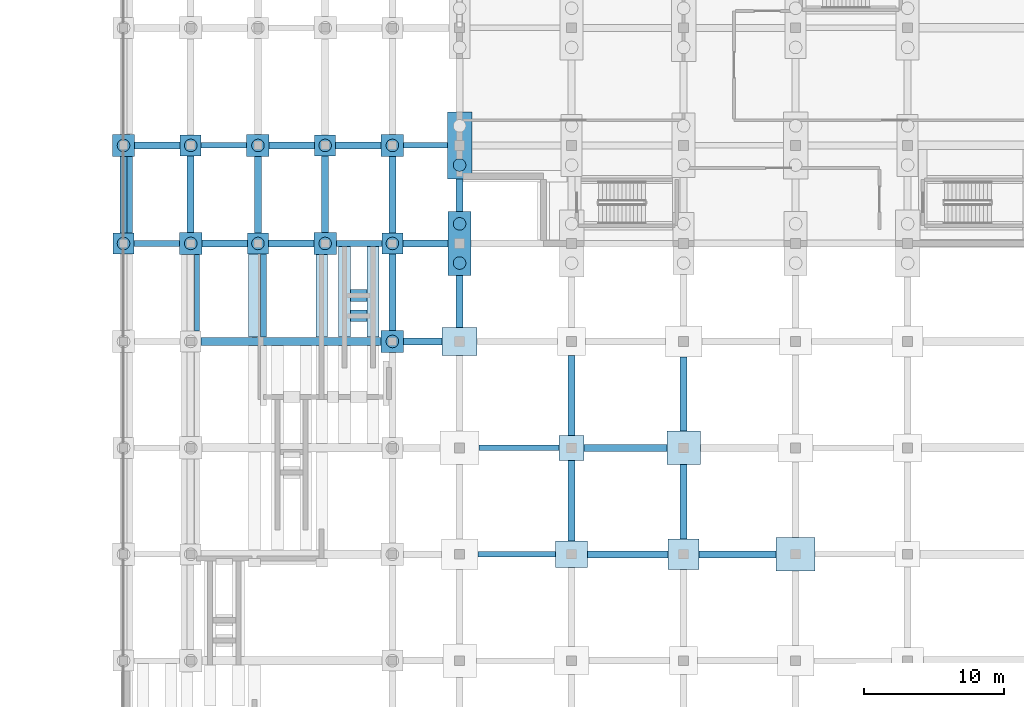
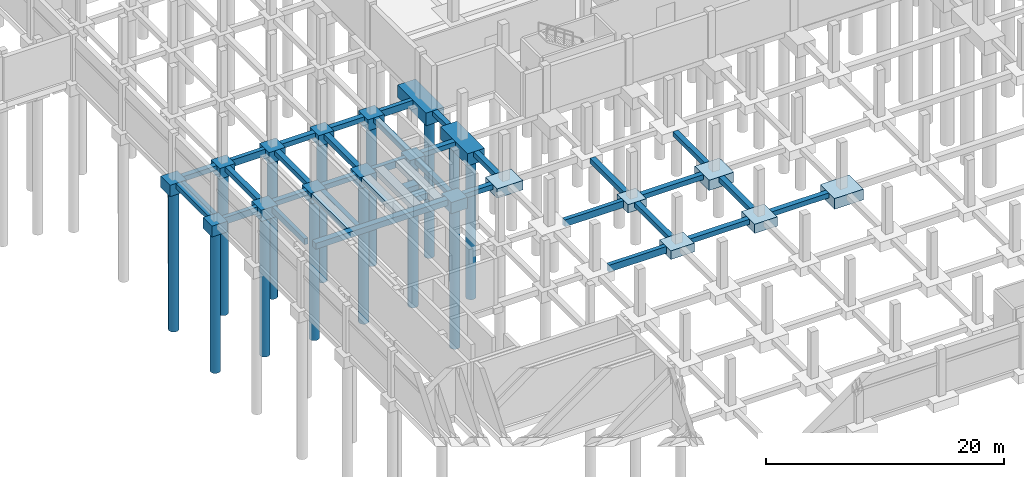
# One storey, part 4 of 50: 57 footings, 14 piles.
"""IFC4 building model written with IfcOpenShell, lengths in metres."""

from ifc_helpers import new_model, si_unit, direction, frame, origin, origin_2d, place, context, subcontext, project, spatial, polyline, rectangle, circle, outline, extrude, material, material_profile, profile_set, type_object, element, save


model = new_model("IFC4")

# Units and contexts
model_context = context("Model", 3, precision=1e-05, world=origin(), true_north=direction((0.0, 1.0)))
body_context = subcontext(model_context, "Body", "Model", "MODEL_VIEW")
ifc_project = project(units=[si_unit("LENGTHUNIT", "METRE"), si_unit("AREAUNIT", "SQUARE_METRE"), si_unit("VOLUMEUNIT", "CUBIC_METRE"), si_unit("PLANEANGLEUNIT", "RADIAN"), si_unit("MASSUNIT", "GRAM", prefix="KILO")], contexts=[model_context])

# Site, building, storey
site_placement = place(None, origin())
site = spatial("IfcSite", under=ifc_project, at=site_placement, CompositionType="ELEMENT")
building_placement = place(site_placement, origin())
building = spatial("IfcBuilding", under=site, at=building_placement, Name="Vekula Escarpment Museum", CompositionType="ELEMENT")
storey_placement = place(building_placement, frame((0.0, 0.0, -4.800048828125)))
storey = spatial("IfcBuildingStorey", under=building, at=storey_placement, Name="B1", CompositionType="ELEMENT", Elevation=-4.800048828125)

# Footings
ifc_material_1 = material(Name="Concrete C35/45", Category="concrete")
footing_type_1 = type_object("IfcFootingType", Name="FB-STRIP-600", PredefinedType="STRIP_FOOTING", material=ifc_material_1)
footing_1_placement = place(storey_placement, frame((0.0, 0.0, -0.599853515625)))
element("IfcFooting", 1, at=footing_1_placement, inside=storey, type_object=footing_type_1, Name="Plinth Wall Strip Footing 0132", PredefinedType="STRIP_FOOTING", context=body_context, shape_type="SweptSolid", body=[
    extrude(outline(polyline([(0.64501953125, 53.35400390625), (0.25390625, 53.35400390625), (0.25390625, 58.7958984375), (0.64501953125, 58.7958984375), (0.64501953125, 53.35400390625)])), origin(), (0.0, 0.0, 1.0), 0.599853515625),
])
footing_2_placement = place(storey_placement, frame((0.0, 0.0, -0.599853515625)))
element("IfcFooting", 2, at=footing_2_placement, inside=storey, type_object=footing_type_1, Name="Plinth Wall Strip Footing 0162", PredefinedType="STRIP_FOOTING", context=body_context, shape_type="SweptSolid", body=[
    extrude(outline(polyline([(16.2099609375, 45.904052734375), (15.3701171875, 45.904052734375), (15.3701171875, 52.39599609375), (16.2099609375, 52.39599609375), (16.2099609375, 45.904052734375)])), origin(), (0.0, 0.0, 1.0), 0.599853515625),
])
footing_3_placement = place(storey_placement, frame((0.0, 0.0, -0.599853515625)))
element("IfcFooting", 3, at=footing_3_placement, inside=storey, type_object=footing_type_1, Name="Plinth Wall Strip Footing 0163", PredefinedType="STRIP_FOOTING", context=body_context, shape_type="SweptSolid", body=[
    extrude(outline(polyline([(18.22998046875, 45.904052734375), (17.389892578125, 45.904052734375), (17.389892578125, 52.39599609375), (18.22998046875, 52.39599609375), (18.22998046875, 45.904052734375)])), origin(), (0.0, 0.0, 1.0), 0.599853515625),
])
footing_4_placement = place(storey_placement, frame((0.0, 0.0, -0.599853515625)))
element("IfcFooting", 4, at=footing_4_placement, inside=storey, type_object=footing_type_1, Name="Plinth Wall Strip Footing 0164", PredefinedType="STRIP_FOOTING", context=body_context, shape_type="SweptSolid", body=[
    extrude(outline(polyline([(16.214111328125, 47.010009765625), (16.214111328125, 47.85009765625), (17.385986328125, 47.85009765625), (17.385986328125, 47.010009765625), (16.214111328125, 47.010009765625)])), origin(), (0.0, 0.0, 1.0), 0.599853515625),
])
footing_5_placement = place(storey_placement, frame((0.0, 0.0, -0.599853515625)))
element("IfcFooting", 5, at=footing_5_placement, inside=storey, type_object=footing_type_1, Name="Plinth Wall Strip Footing 0165", PredefinedType="STRIP_FOOTING", context=body_context, shape_type="SweptSolid", body=[
    extrude(outline(polyline([(16.214111328125, 48.4599609375), (16.214111328125, 49.300048828125), (17.385986328125, 49.300048828125), (17.385986328125, 48.4599609375), (16.214111328125, 48.4599609375)])), origin(), (0.0, 0.0, 1.0), 0.599853515625),
])
footing_6_placement = place(storey_placement, frame((0.0, 0.0, -0.599853515625)))
element("IfcFooting", 6, at=footing_6_placement, inside=storey, type_object=footing_type_1, Name="Plinth Wall Strip Footing 0172", PredefinedType="STRIP_FOOTING", context=body_context, shape_type="SweptSolid", body=[
    extrude(outline(polyline([(5.419921875, 46.35400390625), (5.053955078125, 46.35400390625), (5.053955078125, 51.7958984375), (5.419921875, 51.7958984375), (5.419921875, 46.35400390625)])), origin(), (0.0, 0.0, 1.0), 0.599853515625),
])
footing_7_placement = place(storey_placement, frame((0.0, 0.0, -0.599853515625)))
element("IfcFooting", 7, at=footing_7_placement, inside=storey, type_object=footing_type_1, Name="Plinth Wall Strip Footing 0173", PredefinedType="STRIP_FOOTING", context=body_context, shape_type="SweptSolid", body=[
    extrude(outline(polyline([(9.77001953125, 45.904052734375), (8.929931640625, 45.904052734375), (8.929931640625, 51.845947265625), (9.77001953125, 51.845947265625), (9.77001953125, 45.904052734375)])), origin(), (0.0, 0.0, 1.0), 0.599853515625),
])
footing_8_placement = place(storey_placement, frame((0.0, 0.0, -0.599853515625)))
element("IfcFooting", 8, at=footing_8_placement, inside=storey, type_object=footing_type_1, Name="Plinth Wall Strip Footing 0177", PredefinedType="STRIP_FOOTING", context=body_context, shape_type="SweptSolid", body=[
    extrude(outline(polyline([(10.219970703125, 45.904052734375), (9.77392578125, 45.904052734375), (9.77392578125, 51.845947265625), (10.219970703125, 51.845947265625), (10.219970703125, 45.904052734375)])), origin(), (0.0, 0.0, 1.0), 0.599853515625),
])
footing_9_placement = place(storey_placement, frame((0.0, 0.0, -0.599853515625)))
element("IfcFooting", 9, at=footing_9_placement, inside=storey, type_object=footing_type_1, Name="Plinth Wall Strip Footing 0178", PredefinedType="STRIP_FOOTING", context=body_context, shape_type="SweptSolid", body=[
    extrude(outline(polyline([(14.570068359375, 45.904052734375), (13.72998046875, 45.904052734375), (13.72998046875, 51.7958984375), (14.570068359375, 51.7958984375), (14.570068359375, 45.904052734375)])), origin(), (0.0, 0.0, 1.0), 0.599853515625),
])
ifc_material_2 = material(Name="Concrete C35/45", Category="concrete")
ifc_material_profile_1 = material_profile(ifc_material_2, rectangle(XDim=0.39990234375, YDim=0.699951171875, at=origin_2d()), Name="RC 400x700")
ifc_profile_set_1 = profile_set([ifc_material_profile_1], Name="Concrete C35/45")
footing_type_2 = type_object("IfcFootingType", Name="FB-TIE-400x700", PredefinedType="FOOTING_BEAM", material=ifc_profile_set_1)
footing_10_placement = place(storey_placement, frame((25.300048828125, 30.39990234375, -0.349853515625), z_axis=(1.0, 0.0, 0.0), x_axis=(0.0, 1.0, 0.0)))
element("IfcFooting", 10, at=footing_10_placement, inside=storey, type_object=footing_type_2, Name="Foundation Tie Beam 084", PredefinedType="FOOTING_BEAM", context=body_context, shape_type="SweptSolid", body=[
    extrude(rectangle(XDim=0.39990234375, YDim=0.699951171875, at=origin_2d()), origin(), (0.0, 0.0, 1.0), 5.550048828125),
])
footing_11_placement = place(storey_placement, frame((25.39990234375, 38.0, -0.349853515625), z_axis=(1.0, 0.0, 0.0), x_axis=(0.0, 1.0, 0.0)))
element("IfcFooting", 11, at=footing_11_placement, inside=storey, type_object=footing_type_2, Name="Foundation Tie Beam 102", PredefinedType="FOOTING_BEAM", context=body_context, shape_type="SweptSolid", body=[
    extrude(rectangle(XDim=0.39990234375, YDim=0.699951171875, at=origin_2d()), origin(), (0.0, 0.0, 1.0), 5.7001953125),
])
for number, where, z_axis, x_axis, name in (
    (12, (0.75, 52.60009765625, -0.349853515625), (1.0, 0.0, 0.0), (0.0, 1.0, 0.0), "Foundation Tie Beam 141"),
    (13, (15.199951171875, 52.60009765625, -0.349853515625), (1.0, 0.0, 0.0), (0.0, 1.0, 0.0), "Foundation Tie Beam 144"),
    (14, (5.550048828125, 59.60009765625, -0.349853515625), (1.0, 0.0, 0.0), (0.0, 1.0, 0.0), "Foundation Tie Beam 165"),
):
    element("IfcFooting", number, at=place(storey_placement, frame(where, z_axis=z_axis, x_axis=x_axis)), inside=storey, type_object=footing_type_2, Name=name, PredefinedType="FOOTING_BEAM", context=body_context, shape_type="SweptSolid", body=[
        extrude(rectangle(XDim=0.39990234375, YDim=0.699951171875, at=origin_2d()), origin(), (0.0, 0.0, 1.0), 3.25),
    ])
footing_12_placement = place(storey_placement, frame((20.0, 59.60009765625, -0.349853515625), z_axis=(1.0, 0.0, 0.0), x_axis=(0.0, 1.0, 0.0)))
element("IfcFooting", 15, at=footing_12_placement, inside=storey, type_object=footing_type_2, Name="Foundation Tie Beam 168", PredefinedType="FOOTING_BEAM", context=body_context, shape_type="SweptSolid", body=[
    extrude(rectangle(XDim=0.39990234375, YDim=0.699951171875, at=origin_2d()), origin(), (0.0, 0.0, 1.0), 3.125),
])
ifc_material_3 = material(Name="Concrete C35/45", Category="concrete")
ifc_material_profile_2 = material_profile(ifc_material_3, rectangle(XDim=0.5, YDim=0.5, at=origin_2d()), Name="RC 500x500")
ifc_profile_set_2 = profile_set([ifc_material_profile_2], Name="Concrete C35/45")
footing_type_3 = type_object("IfcFootingType", Name="FB-TIE-500x500", PredefinedType="FOOTING_BEAM", material=ifc_profile_set_2)
footing_13_placement = place(storey_placement, frame((33.14990234375, 30.39990234375, -0.25), z_axis=(1.0, 0.0, 0.0), x_axis=(0.0, 1.0, 0.0)))
element("IfcFooting", 16, at=footing_13_placement, inside=storey, type_object=footing_type_3, Name="Foundation Tie Beam 085", PredefinedType="FOOTING_BEAM", context=body_context, shape_type="SweptSolid", body=[
    extrude(rectangle(XDim=0.5, YDim=0.5, at=origin_2d()), origin(), (0.0, 0.0, 1.0), 5.75),
])
footing_14_placement = place(storey_placement, frame((41.10009765625, 30.39990234375, -0.25), z_axis=(1.0, 0.0, 0.0), x_axis=(0.0, 1.0, 0.0)))
element("IfcFooting", 17, at=footing_14_placement, inside=storey, type_object=footing_type_3, Name="Foundation Tie Beam 086", PredefinedType="FOOTING_BEAM", context=body_context, shape_type="SweptSolid", body=[
    extrude(rectangle(XDim=0.5, YDim=0.5, at=origin_2d()), origin(), (0.0, 0.0, 1.0), 5.5),
])
footing_15_placement = place(storey_placement, frame((32.89990234375, 38.0, -0.25), z_axis=(1.0, 0.0, 0.0), x_axis=(0.0, 1.0, 0.0)))
element("IfcFooting", 18, at=footing_15_placement, inside=storey, type_object=footing_type_3, Name="Foundation Tie Beam 103", PredefinedType="FOOTING_BEAM", context=body_context, shape_type="SweptSolid", body=[
    extrude(rectangle(XDim=0.5, YDim=0.5, at=origin_2d()), origin(), (0.0, 0.0, 1.0), 5.900146484375),
])
footing_16_placement = place(storey_placement, frame((20.0, 45.60009765625, -0.25), z_axis=(1.0, 0.0, 0.0), x_axis=(0.0, 1.0, 0.0)))
element("IfcFooting", 19, at=footing_16_placement, inside=storey, type_object=footing_type_3, Name="Foundation Tie Beam 122", PredefinedType="FOOTING_BEAM", context=body_context, shape_type="SweptSolid", body=[
    extrude(rectangle(XDim=0.5, YDim=0.5, at=origin_2d()), origin(), (0.0, 0.0, 1.0), 2.75),
])
for number, where, z_axis, x_axis, name in (
    (20, (5.60009765625, 52.60009765625, -0.25), (1.0, 0.0, 0.0), (0.0, 1.0, 0.0), "Foundation Tie Beam 142"),
    (21, (10.35009765625, 52.60009765625, -0.25), (1.0, 0.0, 0.0), (0.0, 1.0, 0.0), "Foundation Tie Beam 143"),
):
    element("IfcFooting", number, at=place(storey_placement, frame(where, z_axis=z_axis, x_axis=x_axis)), inside=storey, type_object=footing_type_3, Name=name, PredefinedType="FOOTING_BEAM", context=body_context, shape_type="SweptSolid", body=[
        extrude(rectangle(XDim=0.5, YDim=0.5, at=origin_2d()), origin(), (0.0, 0.0, 1.0), 3.25),
    ])
footing_17_placement = place(storey_placement, frame((19.949951171875, 52.60009765625, -0.25), z_axis=(1.0, 0.0, 0.0), x_axis=(0.0, 1.0, 0.0)))
element("IfcFooting", 22, at=footing_17_placement, inside=storey, type_object=footing_type_3, Name="Foundation Tie Beam 145", PredefinedType="FOOTING_BEAM", context=body_context, shape_type="SweptSolid", body=[
    extrude(rectangle(XDim=0.5, YDim=0.5, at=origin_2d()), origin(), (0.0, 0.0, 1.0), 3.22509765625),
])
for number, where, z_axis, x_axis, name in (
    (23, (0.800048828125, 59.60009765625, -0.25), (1.0, 0.0, 0.0), (0.0, 1.0, 0.0), "Foundation Tie Beam 164"),
    (24, (10.39990234375, 59.60009765625, -0.25), (1.0, 0.0, 0.0), (0.0, 1.0, 0.0), "Foundation Tie Beam 166"),
    (25, (15.14990234375, 59.60009765625, -0.25), (1.0, 0.0, 0.0), (0.0, 1.0, 0.0), "Foundation Tie Beam 167"),
):
    element("IfcFooting", number, at=place(storey_placement, frame(where, z_axis=z_axis, x_axis=x_axis)), inside=storey, type_object=footing_type_3, Name=name, PredefinedType="FOOTING_BEAM", context=body_context, shape_type="SweptSolid", body=[
        extrude(rectangle(XDim=0.5, YDim=0.5, at=origin_2d()), origin(), (0.0, 0.0, 1.0), 3.25),
    ])
footing_18_placement = place(storey_placement, frame((0.0, 53.35009765625, -0.25), z_axis=(0.0, 1.0, 0.0), x_axis=(-1.0, 0.0, 0.0)))
element("IfcFooting", 26, at=footing_18_placement, inside=storey, type_object=footing_type_3, Name="Foundation Tie Beam 406", PredefinedType="FOOTING_BEAM", context=body_context, shape_type="SweptSolid", body=[
    extrude(rectangle(XDim=0.5, YDim=0.5, at=origin_2d()), origin(), (0.0, 0.0, 1.0), 5.449951171875),
])
footing_19_placement = place(storey_placement, frame((4.800048828125, 53.39990234375, -0.25), z_axis=(0.0, 1.0, 0.0), x_axis=(-1.0, 0.0, 0.0)))
element("IfcFooting", 27, at=footing_19_placement, inside=storey, type_object=footing_type_3, Name="Foundation Tie Beam 418", PredefinedType="FOOTING_BEAM", context=body_context, shape_type="SweptSolid", body=[
    extrude(rectangle(XDim=0.5, YDim=0.5, at=origin_2d()), origin(), (0.0, 0.0, 1.0), 5.4501953125),
])
footing_20_placement = place(storey_placement, frame((9.60009765625, 53.35009765625, -0.25), z_axis=(0.0, 1.0, 0.0), x_axis=(-1.0, 0.0, 0.0)))
element("IfcFooting", 28, at=footing_20_placement, inside=storey, type_object=footing_type_3, Name="Foundation Tie Beam 426", PredefinedType="FOOTING_BEAM", context=body_context, shape_type="SweptSolid", body=[
    extrude(rectangle(XDim=0.5, YDim=0.5, at=origin_2d()), origin(), (0.0, 0.0, 1.0), 5.449951171875),
])
for number, where, z_axis, x_axis, name in (
    (29, (14.39990234375, 53.39990234375, -0.25), (0.0, 1.0, 0.0), (-1.0, 0.0, 0.0), "Foundation Tie Beam 434"),
    (30, (19.199951171875, 46.39990234375, -0.25), (0.0, 1.0, 0.0), (-1.0, 0.0, 0.0), "Foundation Tie Beam 448"),
):
    element("IfcFooting", number, at=place(storey_placement, frame(where, z_axis=z_axis, x_axis=x_axis)), inside=storey, type_object=footing_type_3, Name=name, PredefinedType="FOOTING_BEAM", context=body_context, shape_type="SweptSolid", body=[
        extrude(rectangle(XDim=0.5, YDim=0.5, at=origin_2d()), origin(), (0.0, 0.0, 1.0), 5.4501953125),
    ])
footing_21_placement = place(storey_placement, frame((19.199951171875, 53.35009765625, -0.25), z_axis=(0.0, 1.0, 0.0), x_axis=(-1.0, 0.0, 0.0)))
element("IfcFooting", 31, at=footing_21_placement, inside=storey, type_object=footing_type_3, Name="Foundation Tie Beam 449", PredefinedType="FOOTING_BEAM", context=body_context, shape_type="SweptSolid", body=[
    extrude(rectangle(XDim=0.5, YDim=0.5, at=origin_2d()), origin(), (0.0, 0.0, 1.0), 5.449951171875),
])
footing_22_placement = place(storey_placement, frame((24.0, 46.60009765625, -0.25), z_axis=(0.0, 1.0, 0.0), x_axis=(-1.0, 0.0, 0.0)))
element("IfcFooting", 32, at=footing_22_placement, inside=storey, type_object=footing_type_3, Name="Foundation Tie Beam 466", PredefinedType="FOOTING_BEAM", context=body_context, shape_type="SweptSolid", body=[
    extrude(rectangle(XDim=0.5, YDim=0.5, at=origin_2d()), origin(), (0.0, 0.0, 1.0), 3.699951171875),
])
footing_23_placement = place(storey_placement, frame((24.0, 54.89990234375, -0.25), z_axis=(0.0, 1.0, 0.0), x_axis=(-1.0, 0.0, 0.0)))
element("IfcFooting", 33, at=footing_23_placement, inside=storey, type_object=footing_type_3, Name="Foundation Tie Beam 467", PredefinedType="FOOTING_BEAM", context=body_context, shape_type="SweptSolid", body=[
    extrude(rectangle(XDim=0.5, YDim=0.5, at=origin_2d()), origin(), (0.0, 0.0, 1.0), 2.300048828125),
])
footing_24_placement = place(storey_placement, frame((32.0, 31.35009765625, -0.25), z_axis=(0.0, 1.0, 0.0), x_axis=(-1.0, 0.0, 0.0)))
element("IfcFooting", 34, at=footing_24_placement, inside=storey, type_object=footing_type_3, Name="Foundation Tie Beam 482", PredefinedType="FOOTING_BEAM", context=body_context, shape_type="SweptSolid", body=[
    extrude(rectangle(XDim=0.5, YDim=0.5, at=origin_2d()), origin(), (0.0, 0.0, 1.0), 5.75),
])
footing_25_placement = place(storey_placement, frame((32.0, 38.89990234375, -0.25), z_axis=(0.0, 1.0, 0.0), x_axis=(-1.0, 0.0, 0.0)))
element("IfcFooting", 35, at=footing_25_placement, inside=storey, type_object=footing_type_3, Name="Foundation Tie Beam 483", PredefinedType="FOOTING_BEAM", context=body_context, shape_type="SweptSolid", body=[
    extrude(rectangle(XDim=0.5, YDim=0.5, at=origin_2d()), origin(), (0.0, 0.0, 1.0), 5.7001953125),
])
for number, where, z_axis, x_axis, name in (
    (36, (40.0, 31.5, -0.25), (0.0, 1.0, 0.0), (-1.0, 0.0, 0.0), "Foundation Tie Beam 500"),
    (37, (40.0, 39.199951171875, -0.25), (0.0, 1.0, 0.0), (-1.0, 0.0, 0.0), "Foundation Tie Beam 501"),
):
    element("IfcFooting", number, at=place(storey_placement, frame(where, z_axis=z_axis, x_axis=x_axis)), inside=storey, type_object=footing_type_3, Name=name, PredefinedType="FOOTING_BEAM", context=body_context, shape_type="SweptSolid", body=[
        extrude(rectangle(XDim=0.5, YDim=0.5, at=origin_2d()), origin(), (0.0, 0.0, 1.0), 5.300048828125),
    ])
ifc_material_4 = material(Name="Concrete C35/45", Category="concrete")
ifc_material_profile_3 = material_profile(ifc_material_4, rectangle(XDim=0.60009765625, YDim=0.60009765625, at=origin_2d()), Name="RC 600x600")
ifc_profile_set_3 = profile_set([ifc_material_profile_3], Name="Concrete C35/45")
footing_type_4 = type_object("IfcFootingType", Name="FB-TIE-600x600", PredefinedType="FOOTING_BEAM", material=ifc_profile_set_3)
footing_26_placement = place(storey_placement, frame((5.550048828125, 45.60009765625, -0.300048828125), z_axis=(1.0, 0.0, 0.0), x_axis=(0.0, 1.0, 0.0)))
element("IfcFooting", 38, at=footing_26_placement, inside=storey, type_object=footing_type_4, Name="Foundation Tie Beam 121", PredefinedType="FOOTING_BEAM", context=body_context, shape_type="SweptSolid", body=[
    extrude(rectangle(XDim=0.60009765625, YDim=0.60009765625, at=origin_2d()), origin(), (0.0, 0.0, 1.0), 12.849853515625),
])
ifc_material_5 = material(Name="Concrete C35/45", Category="concrete")
footing_type_5 = type_object("IfcFootingType", Name="FC-PAD1", PredefinedType="PAD_FOOTING", material=ifc_material_5)
footing_27_placement = place(storey_placement, frame((0.0, 0.0, -0.849853515625)))
element("IfcFooting", 39, at=footing_27_placement, inside=storey, type_object=footing_type_5, Name="Foundation FC-PAD1 (32.0,38.0)", PredefinedType="PAD_FOOTING", context=body_context, shape_type="SweptSolid", body=[
    extrude(outline(polyline([(31.10009765625, 37.10009765625), (32.89990234375, 37.10009765625), (32.89990234375, 38.89990234375), (31.10009765625, 38.89990234375), (31.10009765625, 37.10009765625)])), origin(), (0.0, 0.0, 1.0), 0.849853515625),
])
ifc_material_6 = material(Name="Concrete C35/45", Category="concrete")
footing_type_6 = type_object("IfcFootingType", Name="FC-PAD3", PredefinedType="PAD_FOOTING", material=ifc_material_6)
footing_28_placement = place(storey_placement, frame((0.0, 0.0, -0.949951171875)))
element("IfcFooting", 40, at=footing_28_placement, inside=storey, type_object=footing_type_6, Name="Foundation FC-PAD3 (40.0,30.4)", PredefinedType="PAD_FOOTING", context=body_context, shape_type="SweptSolid", body=[
    extrude(outline(polyline([(38.89990234375, 29.300048828125), (41.10009765625, 29.300048828125), (41.10009765625, 31.5), (38.89990234375, 31.5), (38.89990234375, 29.300048828125)])), origin(), (0.0, 0.0, 1.0), 0.949951171875),
])
ifc_material_7 = material(Name="Concrete C35/45", Category="concrete")
footing_type_7 = type_object("IfcFootingType", Name="FC-PAD4", PredefinedType="PAD_FOOTING", material=ifc_material_7)
footing_29_placement = place(storey_placement, frame((0.0, 0.0, -1.050048828125)))
element("IfcFooting", 41, at=footing_29_placement, inside=storey, type_object=footing_type_7, Name="Foundation FC-PAD4 (40.0,38.0)", PredefinedType="PAD_FOOTING", context=body_context, shape_type="SweptSolid", body=[
    extrude(outline(polyline([(38.800048828125, 36.800048828125), (41.199951171875, 36.800048828125), (41.199951171875, 39.199951171875), (38.800048828125, 39.199951171875), (38.800048828125, 36.800048828125)])), origin(), (0.0, 0.0, 1.0), 1.050048828125),
])
ifc_material_8 = material(Name="Concrete C35/45", Category="concrete")
footing_type_8 = type_object("IfcFootingType", Name="FC-PAD6", PredefinedType="PAD_FOOTING", material=ifc_material_8)
footing_30_placement = place(storey_placement, frame((0.0, 0.0, -1.099853515625)))
element("IfcFooting", 42, at=footing_30_placement, inside=storey, type_object=footing_type_8, Name="Foundation FC-PAD6 (48.0,30.4)", PredefinedType="PAD_FOOTING", context=body_context, shape_type="SweptSolid", body=[
    extrude(outline(polyline([(46.60009765625, 29.199951171875), (49.39990234375, 29.199951171875), (49.39990234375, 31.60009765625), (46.60009765625, 31.60009765625), (46.60009765625, 29.199951171875)])), origin(), (0.0, 0.0, 1.0), 1.099853515625),
])
ifc_material_9 = material(Name="Concrete C35/45", Category="concrete")
footing_type_9 = type_object("IfcFootingType", Name="FC-PAD7", PredefinedType="PAD_FOOTING", material=ifc_material_9)
footing_31_placement = place(storey_placement, frame((0.0, 0.0, -0.949951171875)))
element("IfcFooting", 43, at=footing_31_placement, inside=storey, type_object=footing_type_9, Name="Foundation FC-PAD7 (24.0,45.6)", PredefinedType="PAD_FOOTING", context=body_context, shape_type="SweptSolid", body=[
    extrude(outline(polyline([(22.75, 44.60009765625), (25.25, 44.60009765625), (25.25, 46.60009765625), (22.75, 46.60009765625), (22.75, 44.60009765625)])), origin(), (0.0, 0.0, 1.0), 0.949951171875),
])
ifc_material_10 = material(Name="Concrete C35/45", Category="concrete")
footing_type_10 = type_object("IfcFootingType", Name="FC-PAD8", PredefinedType="PAD_FOOTING", material=ifc_material_10)
footing_32_placement = place(storey_placement, frame((0.0, 0.0, -0.89990234375)))
element("IfcFooting", 44, at=footing_32_placement, inside=storey, type_object=footing_type_10, Name="Foundation FC-PAD8 (32.0,30.4)", PredefinedType="PAD_FOOTING", context=body_context, shape_type="SweptSolid", body=[
    extrude(outline(polyline([(30.85009765625, 29.449951171875), (33.14990234375, 29.449951171875), (33.14990234375, 31.35009765625), (30.85009765625, 31.35009765625), (30.85009765625, 29.449951171875)])), origin(), (0.0, 0.0, 1.0), 0.89990234375),
])
ifc_material_11 = material(Name="Concrete C35/45", Category="concrete")
footing_type_11 = type_object("IfcFootingType", Name="FC-PC1A", PredefinedType="PILE_CAP", material=ifc_material_11)
footing_33_placement = place(storey_placement, frame((0.0, 0.0, -1.099853515625)))
element("IfcFooting", 45, at=footing_33_placement, inside=storey, type_object=footing_type_11, Name="Foundation FC-PC1A (0.0,52.6)", PredefinedType="PILE_CAP", context=body_context, shape_type="SweptSolid", body=[
    extrude(outline(polyline([(-0.75, 51.85009765625), (0.75, 51.85009765625), (0.75, 53.35009765625), (-0.75, 53.35009765625), (-0.75, 51.85009765625)])), origin(), (0.0, 0.0, 1.0), 1.099853515625),
])
footing_34_placement = place(storey_placement, frame((0.0, 0.0, -1.099853515625)))
element("IfcFooting", 46, at=footing_34_placement, inside=storey, type_object=footing_type_11, Name="Foundation FC-PC1A (4.8,59.6)", PredefinedType="PILE_CAP", context=body_context, shape_type="SweptSolid", body=[
    extrude(outline(polyline([(4.050048828125, 58.85009765625), (5.550048828125, 58.85009765625), (5.550048828125, 60.35009765625), (4.050048828125, 60.35009765625), (4.050048828125, 58.85009765625)])), origin(), (0.0, 0.0, 1.0), 1.099853515625),
])
footing_35_placement = place(storey_placement, frame((0.0, 0.0, -1.099853515625)))
element("IfcFooting", 47, at=footing_35_placement, inside=storey, type_object=footing_type_11, Name="Foundation FC-PC1A (9.6,52.6)", PredefinedType="PILE_CAP", context=body_context, shape_type="SweptSolid", body=[
    extrude(outline(polyline([(8.85009765625, 51.85009765625), (10.35009765625, 51.85009765625), (10.35009765625, 53.35009765625), (8.85009765625, 53.35009765625), (8.85009765625, 51.85009765625)])), origin(), (0.0, 0.0, 1.0), 1.099853515625),
])
footing_36_placement = place(storey_placement, frame((0.0, 0.0, -1.099853515625)))
element("IfcFooting", 48, at=footing_36_placement, inside=storey, type_object=footing_type_11, Name="Foundation FC-PC1A (14.4,59.6)", PredefinedType="PILE_CAP", context=body_context, shape_type="SweptSolid", body=[
    extrude(outline(polyline([(13.64990234375, 58.85009765625), (15.14990234375, 58.85009765625), (15.14990234375, 60.35009765625), (13.64990234375, 60.35009765625), (13.64990234375, 58.85009765625)])), origin(), (0.0, 0.0, 1.0), 1.099853515625),
])
footing_37_placement = place(storey_placement, frame((0.0, 0.0, -1.099853515625)))
element("IfcFooting", 49, at=footing_37_placement, inside=storey, type_object=footing_type_11, Name="Foundation FC-PC1A (19.2,52.6)", PredefinedType="PILE_CAP", context=body_context, shape_type="SweptSolid", body=[
    extrude(outline(polyline([(18.449951171875, 51.85009765625), (19.949951171875, 51.85009765625), (19.949951171875, 53.35009765625), (18.449951171875, 53.35009765625), (18.449951171875, 51.85009765625)])), origin(), (0.0, 0.0, 1.0), 1.099853515625),
])
ifc_material_12 = material(Name="Concrete C35/45", Category="concrete")
footing_type_12 = type_object("IfcFootingType", Name="FC-PC1B", PredefinedType="PILE_CAP", material=ifc_material_12)
footing_38_placement = place(storey_placement, frame((0.0, 0.0, -1.14990234375)))
element("IfcFooting", 50, at=footing_38_placement, inside=storey, type_object=footing_type_12, Name="Foundation FC-PC1B (0.0,59.6)", PredefinedType="PILE_CAP", context=body_context, shape_type="SweptSolid", body=[
    extrude(outline(polyline([(-0.800048828125, 58.800048828125), (0.800048828125, 58.800048828125), (0.800048828125, 60.39990234375), (-0.800048828125, 60.39990234375), (-0.800048828125, 58.800048828125)])), origin(), (0.0, 0.0, 1.0), 1.14990234375),
])
footing_39_placement = place(storey_placement, frame((0.0, 0.0, -1.14990234375)))
element("IfcFooting", 51, at=footing_39_placement, inside=storey, type_object=footing_type_12, Name="Foundation FC-PC1B (4.8,52.6)", PredefinedType="PILE_CAP", context=body_context, shape_type="SweptSolid", body=[
    extrude(outline(polyline([(4.0, 51.800048828125), (5.60009765625, 51.800048828125), (5.60009765625, 53.39990234375), (4.0, 53.39990234375), (4.0, 51.800048828125)])), origin(), (0.0, 0.0, 1.0), 1.14990234375),
])
footing_40_placement = place(storey_placement, frame((0.0, 0.0, -1.14990234375)))
element("IfcFooting", 52, at=footing_40_placement, inside=storey, type_object=footing_type_12, Name="Foundation FC-PC1B (9.6,59.6)", PredefinedType="PILE_CAP", context=body_context, shape_type="SweptSolid", body=[
    extrude(outline(polyline([(8.800048828125, 58.800048828125), (10.39990234375, 58.800048828125), (10.39990234375, 60.39990234375), (8.800048828125, 60.39990234375), (8.800048828125, 58.800048828125)])), origin(), (0.0, 0.0, 1.0), 1.14990234375),
])
footing_41_placement = place(storey_placement, frame((0.0, 0.0, -1.14990234375)))
element("IfcFooting", 53, at=footing_41_placement, inside=storey, type_object=footing_type_12, Name="Foundation FC-PC1B (14.4,52.6)", PredefinedType="PILE_CAP", context=body_context, shape_type="SweptSolid", body=[
    extrude(outline(polyline([(13.60009765625, 51.800048828125), (15.199951171875, 51.800048828125), (15.199951171875, 53.39990234375), (13.60009765625, 53.39990234375), (13.60009765625, 51.800048828125)])), origin(), (0.0, 0.0, 1.0), 1.14990234375),
])
footing_42_placement = place(storey_placement, frame((0.0, 0.0, -1.14990234375)))
element("IfcFooting", 54, at=footing_42_placement, inside=storey, type_object=footing_type_12, Name="Foundation FC-PC1B (19.2,45.6)", PredefinedType="PILE_CAP", context=body_context, shape_type="SweptSolid", body=[
    extrude(outline(polyline([(18.39990234375, 44.800048828125), (20.0, 44.800048828125), (20.0, 46.39990234375), (18.39990234375, 46.39990234375), (18.39990234375, 44.800048828125)])), origin(), (0.0, 0.0, 1.0), 1.14990234375),
])
footing_43_placement = place(storey_placement, frame((0.0, 0.0, -1.14990234375)))
element("IfcFooting", 55, at=footing_43_placement, inside=storey, type_object=footing_type_12, Name="Foundation FC-PC1B (19.2,59.6)", PredefinedType="PILE_CAP", context=body_context, shape_type="SweptSolid", body=[
    extrude(outline(polyline([(18.39990234375, 58.800048828125), (20.0, 58.800048828125), (20.0, 60.39990234375), (18.39990234375, 60.39990234375), (18.39990234375, 58.800048828125)])), origin(), (0.0, 0.0, 1.0), 1.14990234375),
])
ifc_material_13 = material(Name="Concrete C35/45", Category="concrete")
footing_type_13 = type_object("IfcFootingType", Name="FC-PC2Y-B", PredefinedType="PILE_CAP", material=ifc_material_13)
footing_44_placement = place(storey_placement, frame((0.0, 0.0, -1.25)))
element("IfcFooting", 56, at=footing_44_placement, inside=storey, type_object=footing_type_13, Name="Foundation FC-PC2Y-B (24.0,52.6)", PredefinedType="PILE_CAP", context=body_context, shape_type="SweptSolid", body=[
    extrude(outline(polyline([(23.175048828125, 50.300048828125), (24.824951171875, 50.300048828125), (24.824951171875, 54.89990234375), (23.175048828125, 54.89990234375), (23.175048828125, 50.300048828125)])), origin(), (0.0, 0.0, 1.0), 1.25),
])
ifc_material_14 = material(Name="Concrete C35/45", Category="concrete")
footing_type_14 = type_object("IfcFootingType", Name="FC-PC2Y-C", PredefinedType="PILE_CAP", material=ifc_material_14)
footing_45_placement = place(storey_placement, frame((0.0, 0.0, -1.300048828125)))
element("IfcFooting", 57, at=footing_45_placement, inside=storey, type_object=footing_type_14, Name="Foundation FC-PC2Y-C (24.0,59.6)", PredefinedType="PILE_CAP", context=body_context, shape_type="SweptSolid", body=[
    extrude(outline(polyline([(23.125, 57.199951171875), (24.875, 57.199951171875), (24.875, 62.0), (23.125, 62.0), (23.125, 57.199951171875)])), origin(), (0.0, 0.0, 1.0), 1.300048828125),
])

# Piles
ifc_material_15 = material(Name="Concrete C35/45", Category="concrete")
ifc_material_profile_4 = material_profile(ifc_material_15, circle(Radius=0.449951171875, at=origin_2d()), Name="BORED PILE 900")
ifc_profile_set_4 = profile_set([ifc_material_profile_4], Name="Concrete C35/45")
pile_type = type_object("IfcPileType", Name="PILE-B900", PredefinedType="BORED", material=ifc_profile_set_4)
pile_1_placement = place(storey_placement, frame((0.0, 52.60009765625, -1.0), z_axis=(0.0, 0.0, -1.0), x_axis=(1.0, 0.0, 0.0)))
element("IfcPile", 58, at=pile_1_placement, inside=storey, type_object=pile_type, Name="Bored Pile (0.0,52.6)", PredefinedType="BORED", context=body_context, shape_type="SweptSolid", body=[
    extrude(circle(Radius=0.449951171875, at=origin_2d()), origin(), (0.0, 0.0, 1.0), 14.5),
])
for number, where, z_axis, x_axis, name in (
    (59, (0.0, 59.60009765625, -1.050048828125), (0.0, 0.0, -1.0), (1.0, 0.0, 0.0), "Bored Pile (0.0,59.6)"),
    (60, (4.800048828125, 52.60009765625, -1.050048828125), (0.0, 0.0, -1.0), (1.0, 0.0, 0.0), "Bored Pile (4.8,52.6)"),
):
    element("IfcPile", number, at=place(storey_placement, frame(where, z_axis=z_axis, x_axis=x_axis)), inside=storey, type_object=pile_type, Name=name, PredefinedType="BORED", context=body_context, shape_type="SweptSolid", body=[
        extrude(circle(Radius=0.449951171875, at=origin_2d()), origin(), (0.0, 0.0, 1.0), 14.449951171875),
    ])
for number, where, z_axis, x_axis, name in (
    (61, (4.800048828125, 59.60009765625, -1.0), (0.0, 0.0, -1.0), (1.0, 0.0, 0.0), "Bored Pile (4.8,59.6)"),
    (62, (9.60009765625, 52.60009765625, -1.0), (0.0, 0.0, -1.0), (1.0, 0.0, 0.0), "Bored Pile (9.6,52.6)"),
):
    element("IfcPile", number, at=place(storey_placement, frame(where, z_axis=z_axis, x_axis=x_axis)), inside=storey, type_object=pile_type, Name=name, PredefinedType="BORED", context=body_context, shape_type="SweptSolid", body=[
        extrude(circle(Radius=0.449951171875, at=origin_2d()), origin(), (0.0, 0.0, 1.0), 14.5),
    ])
for number, where, z_axis, x_axis, name in (
    (63, (9.60009765625, 59.60009765625, -1.050048828125), (0.0, 0.0, -1.0), (1.0, 0.0, 0.0), "Bored Pile (9.6,59.6)"),
    (64, (14.39990234375, 52.60009765625, -1.050048828125), (0.0, 0.0, -1.0), (1.0, 0.0, 0.0), "Bored Pile (14.4,52.6)"),
):
    element("IfcPile", number, at=place(storey_placement, frame(where, z_axis=z_axis, x_axis=x_axis)), inside=storey, type_object=pile_type, Name=name, PredefinedType="BORED", context=body_context, shape_type="SweptSolid", body=[
        extrude(circle(Radius=0.449951171875, at=origin_2d()), origin(), (0.0, 0.0, 1.0), 14.449951171875),
    ])
pile_2_placement = place(storey_placement, frame((14.39990234375, 59.60009765625, -1.0), z_axis=(0.0, 0.0, -1.0), x_axis=(1.0, 0.0, 0.0)))
element("IfcPile", 65, at=pile_2_placement, inside=storey, type_object=pile_type, Name="Bored Pile (14.4,59.6)", PredefinedType="BORED", context=body_context, shape_type="SweptSolid", body=[
    extrude(circle(Radius=0.449951171875, at=origin_2d()), origin(), (0.0, 0.0, 1.0), 14.5),
])
pile_3_placement = place(storey_placement, frame((19.199951171875, 45.60009765625, -1.050048828125), z_axis=(0.0, 0.0, -1.0), x_axis=(1.0, 0.0, 0.0)))
element("IfcPile", 66, at=pile_3_placement, inside=storey, type_object=pile_type, Name="Bored Pile (19.2,45.6)", PredefinedType="BORED", context=body_context, shape_type="SweptSolid", body=[
    extrude(circle(Radius=0.449951171875, at=origin_2d()), origin(), (0.0, 0.0, 1.0), 14.449951171875),
])
pile_4_placement = place(storey_placement, frame((19.199951171875, 52.60009765625, -1.0), z_axis=(0.0, 0.0, -1.0), x_axis=(1.0, 0.0, 0.0)))
element("IfcPile", 67, at=pile_4_placement, inside=storey, type_object=pile_type, Name="Bored Pile (19.2,52.6)", PredefinedType="BORED", context=body_context, shape_type="SweptSolid", body=[
    extrude(circle(Radius=0.449951171875, at=origin_2d()), origin(), (0.0, 0.0, 1.0), 14.5),
])
pile_5_placement = place(storey_placement, frame((19.199951171875, 59.60009765625, -1.050048828125), z_axis=(0.0, 0.0, -1.0), x_axis=(1.0, 0.0, 0.0)))
element("IfcPile", 68, at=pile_5_placement, inside=storey, type_object=pile_type, Name="Bored Pile (19.2,59.6)", PredefinedType="BORED", context=body_context, shape_type="SweptSolid", body=[
    extrude(circle(Radius=0.449951171875, at=origin_2d()), origin(), (0.0, 0.0, 1.0), 14.449951171875),
])
for number, where, z_axis, x_axis, name in (
    (69, (24.0, 51.199951171875, -1.14990234375), (0.0, 0.0, -1.0), (1.0, 0.0, 0.0), "Bored Pile (24.0,51.2)"),
    (70, (24.0, 54.0, -1.14990234375), (0.0, 0.0, -1.0), (1.0, 0.0, 0.0), "Bored Pile (24.0,54.0)"),
):
    element("IfcPile", number, at=place(storey_placement, frame(where, z_axis=z_axis, x_axis=x_axis)), inside=storey, type_object=pile_type, Name=name, PredefinedType="BORED", context=body_context, shape_type="SweptSolid", body=[
        extrude(circle(Radius=0.449951171875, at=origin_2d()), origin(), (0.0, 0.0, 1.0), 14.35009765625),
    ])
pile_6_placement = place(storey_placement, frame((24.0, 58.199951171875, -1.199951171875), z_axis=(0.0, 0.0, -1.0), x_axis=(1.0, 0.0, 0.0)))
element("IfcPile", 71, at=pile_6_placement, inside=storey, type_object=pile_type, Name="Bored Pile (24.0,58.2)", PredefinedType="BORED", context=body_context, shape_type="SweptSolid", body=[
    extrude(circle(Radius=0.449951171875, at=origin_2d()), origin(), (0.0, 0.0, 1.0), 14.300048828125),
])

save(model, "model.ifc")
